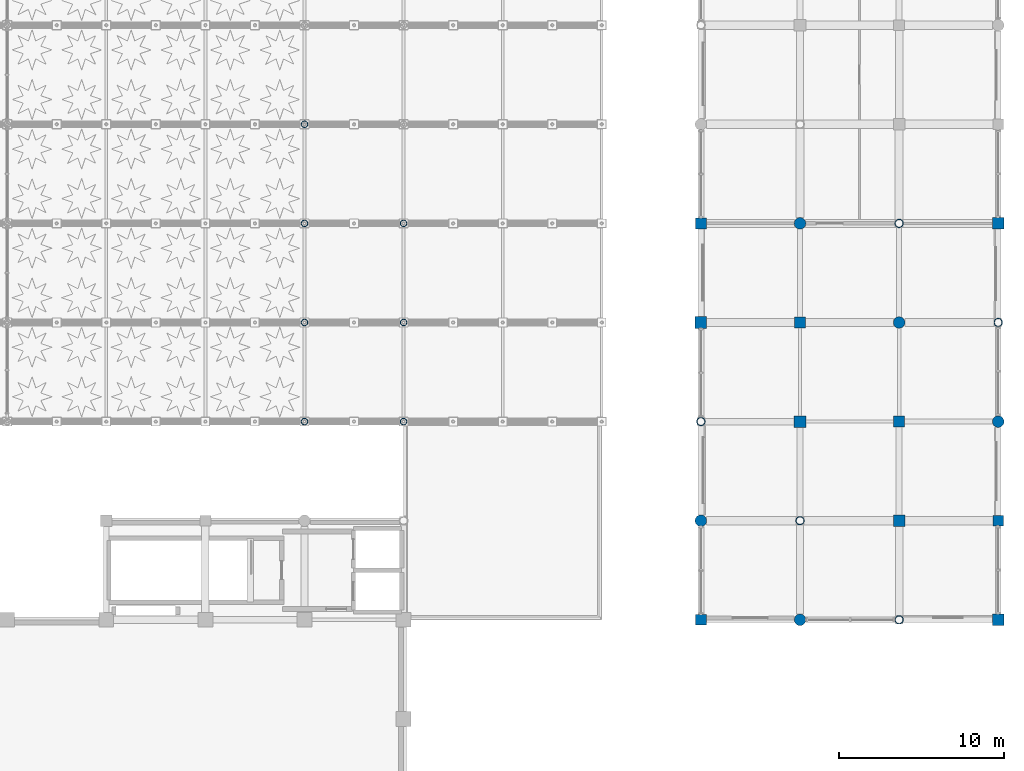
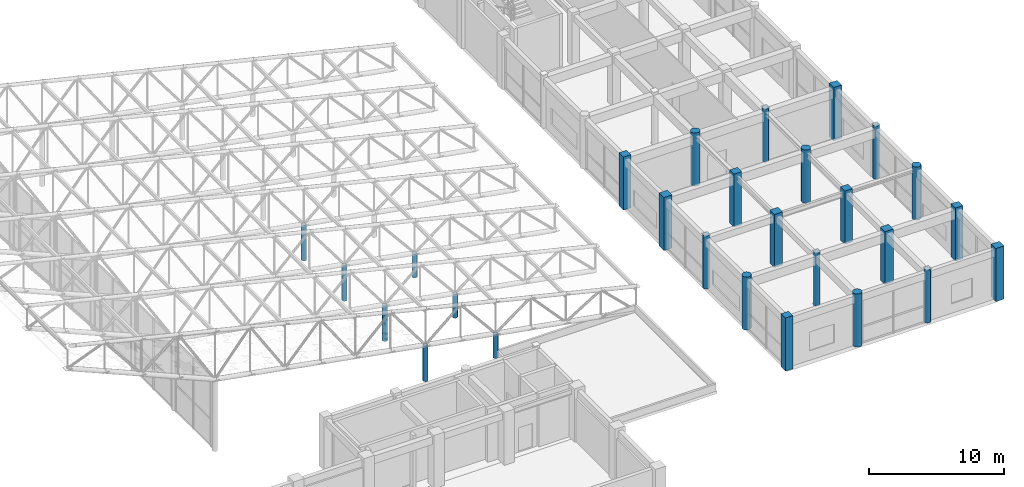
# One storey, part 13 of 112: 27 columns.
"""IFC4 building model written with IfcOpenShell, lengths in metres."""

from ifc_helpers import new_model, si_unit, direction, frame, origin, origin_2d, place, context, subcontext, project, spatial, rectangle, circle, hollow_circle, extrude, material, material_profile, profile_set, type_object, element, save


model = new_model("IFC4")

# Units and contexts
model_context = context("Model", 3, precision=1e-05, world=origin(), true_north=direction((0.0, 1.0)))
body_context = subcontext(model_context, "Body", "Model", "MODEL_VIEW")
ifc_project = project(units=[si_unit("LENGTHUNIT", "METRE"), si_unit("AREAUNIT", "SQUARE_METRE"), si_unit("VOLUMEUNIT", "CUBIC_METRE"), si_unit("PLANEANGLEUNIT", "RADIAN"), si_unit("MASSUNIT", "GRAM", prefix="KILO"), si_unit("THERMODYNAMICTEMPERATUREUNIT", "KELVIN"), si_unit("POWERUNIT", "WATT")], contexts=[model_context])

# Site, building, storey
site_placement = place(None, origin())
site = spatial("IfcSite", under=ifc_project, at=site_placement, CompositionType="ELEMENT")
building_placement = place(site_placement, origin())
building = spatial("IfcBuilding", under=site, at=building_placement, Name="Phaisarnlok Congress Hotel", CompositionType="ELEMENT")
storey_placement = place(building_placement, frame((0.0, 0.0, 19.800048828125)))
storey = spatial("IfcBuildingStorey", under=building, at=storey_placement, Name="L04", CompositionType="ELEMENT", Elevation=19.800048828125)

# Columns
ifc_material_1 = material(Name="Concrete C50/60", Category="concrete")
ifc_material_profile_1 = material_profile(ifc_material_1, rectangle(XDim=0.64990234375, YDim=0.64990234375, at=origin_2d()), Name="RC 650x650")
ifc_profile_set_1 = profile_set([ifc_material_profile_1], Name="Concrete C50/60")
column_type_1 = type_object("IfcColumnType", Name="COL-RC-650", PredefinedType="COLUMN", material=ifc_profile_set_1)
for number, where, z_axis, x_axis, name in (
    (1, (162.0, 36.0, 0.0), (0.0, 0.0, 1.0), (1.0, 0.0, 0.0), "Column C-04 (L04)"),
    (2, (162.0, 60.0, 0.0), (0.0, 0.0, 1.0), (1.0, 0.0, 0.0), "Column C-04 (L04)"),
    (3, (168.0, 54.0, 0.0), (0.0, 0.0, 1.0), (1.0, 0.0, 0.0), "Column C-04 (L04)"),
    (4, (174.0, 48.0, 0.0), (0.0, 0.0, 1.0), (1.0, 0.0, 0.0), "Column C-04 (L04)"),
):
    element("IfcColumn", number, at=place(storey_placement, frame(where, z_axis=z_axis, x_axis=x_axis)), inside=storey, type_object=column_type_1, Name=name, PredefinedType="COLUMN", context=body_context, shape_type="SweptSolid", body=[
        extrude(rectangle(XDim=0.64990234375, YDim=0.64990234375, at=origin_2d()), origin(), (0.0, 0.0, 1.0), 4.800048828125),
    ])
ifc_material_profile_2 = material_profile(ifc_material_1, rectangle(XDim=0.64990234375, YDim=0.64990234375, at=origin_2d()), Name="RC 650x650")
ifc_profile_set_2 = profile_set([ifc_material_profile_2], Name="Concrete C50/60")
column_type_2 = type_object("IfcColumnType", Name="COL-RC-650-EXT", PredefinedType="COLUMN", material=ifc_profile_set_2)
column_1_placement = place(storey_placement, frame((180.0, 42.0, 0.0), z_axis=(0.0, 0.0, 1.0), x_axis=(1.0, 0.0, 0.0)))
element("IfcColumn", 5, at=column_1_placement, inside=storey, type_object=column_type_2, Name="Column C-04E (L04)", PredefinedType="COLUMN", context=body_context, shape_type="SweptSolid", body=[
    extrude(rectangle(XDim=0.64990234375, YDim=0.64990234375, at=origin_2d()), origin(), (0.0, 0.0, 1.0), 4.800048828125),
])
ifc_material_profile_3 = material_profile(ifc_material_1, rectangle(XDim=0.699951171875, YDim=0.699951171875, at=origin_2d()), Name="RC 700x700")
ifc_profile_set_3 = profile_set([ifc_material_profile_3], Name="Concrete C50/60")
column_type_3 = type_object("IfcColumnType", Name="COL-RC-700", PredefinedType="COLUMN", material=ifc_profile_set_3)
for number, where, z_axis, x_axis, name in (
    (6, (162.0, 54.0, 0.0), (0.0, 0.0, 1.0), (1.0, 0.0, 0.0), "Column C-05 (L04)"),
    (7, (168.0, 48.0, 0.0), (0.0, 0.0, 1.0), (1.0, 0.0, 0.0), "Column C-05 (L04)"),
    (8, (174.0, 42.0, 0.0), (0.0, 0.0, 1.0), (1.0, 0.0, 0.0), "Column C-05 (L04)"),
):
    element("IfcColumn", number, at=place(storey_placement, frame(where, z_axis=z_axis, x_axis=x_axis)), inside=storey, type_object=column_type_3, Name=name, PredefinedType="COLUMN", context=body_context, shape_type="SweptSolid", body=[
        extrude(rectangle(XDim=0.699951171875, YDim=0.699951171875, at=origin_2d()), origin(), (0.0, 0.0, 1.0), 4.800048828125),
    ])
ifc_material_profile_4 = material_profile(ifc_material_1, rectangle(XDim=0.699951171875, YDim=0.699951171875, at=origin_2d()), Name="RC 700x700")
ifc_profile_set_4 = profile_set([ifc_material_profile_4], Name="Concrete C50/60")
column_type_4 = type_object("IfcColumnType", Name="COL-RC-700-EXT", PredefinedType="COLUMN", material=ifc_profile_set_4)
for number, where, z_axis, x_axis, name in (
    (9, (180.0, 36.0, 0.0), (0.0, 0.0, 1.0), (1.0, 0.0, 0.0), "Column C-05E (L04)"),
    (10, (180.0, 60.0, 0.0), (0.0, 0.0, 1.0), (1.0, 0.0, 0.0), "Column C-05E (L04)"),
):
    element("IfcColumn", number, at=place(storey_placement, frame(where, z_axis=z_axis, x_axis=x_axis)), inside=storey, type_object=column_type_4, Name=name, PredefinedType="COLUMN", context=body_context, shape_type="SweptSolid", body=[
        extrude(rectangle(XDim=0.699951171875, YDim=0.699951171875, at=origin_2d()), origin(), (0.0, 0.0, 1.0), 4.800048828125),
    ])
ifc_material_profile_5 = material_profile(ifc_material_1, circle(Radius=0.35009765625, at=origin_2d()), Name="RCC D700")
ifc_profile_set_5 = profile_set([ifc_material_profile_5], Name="Concrete C50/60")
column_type_5 = type_object("IfcColumnType", Name="COL-RCC-700", PredefinedType="COLUMN", material=ifc_profile_set_5)
for number, where, z_axis, x_axis, name in (
    (11, (162.0, 42.0, 0.0), (0.0, 0.0, 1.0), (1.0, 0.0, 0.0), "Column C-13 (L04)"),
    (12, (168.0, 36.0, 0.0), (0.0, 0.0, 1.0), (1.0, 0.0, 0.0), "Column C-13 (L04)"),
    (13, (168.0, 60.0, 0.0), (0.0, 0.0, 1.0), (1.0, 0.0, 0.0), "Column C-13 (L04)"),
    (14, (174.0, 54.0, 0.0), (0.0, 0.0, 1.0), (1.0, 0.0, 0.0), "Column C-13 (L04)"),
):
    element("IfcColumn", number, at=place(storey_placement, frame(where, z_axis=z_axis, x_axis=x_axis)), inside=storey, type_object=column_type_5, Name=name, PredefinedType="COLUMN", context=body_context, shape_type="SweptSolid", body=[
        extrude(circle(Radius=0.35009765625, at=origin_2d()), origin(), (0.0, 0.0, 1.0), 4.800048828125),
    ])
ifc_material_profile_6 = material_profile(ifc_material_1, circle(Radius=0.35009765625, at=origin_2d()), Name="RCC D700")
ifc_profile_set_6 = profile_set([ifc_material_profile_6], Name="Concrete C50/60")
column_type_6 = type_object("IfcColumnType", Name="COL-RCC-700-EXT", PredefinedType="COLUMN", material=ifc_profile_set_6)
column_2_placement = place(storey_placement, frame((180.0, 48.0, 0.0), z_axis=(0.0, 0.0, 1.0), x_axis=(1.0, 0.0, 0.0)))
element("IfcColumn", 15, at=column_2_placement, inside=storey, type_object=column_type_6, Name="Column C-13E (L04)", PredefinedType="COLUMN", context=body_context, shape_type="SweptSolid", body=[
    extrude(circle(Radius=0.35009765625, at=origin_2d()), origin(), (0.0, 0.0, 1.0), 4.800048828125),
])
ifc_material_2 = material(Name="Steel S355", Category="steel")
ifc_material_profile_7 = material_profile(ifc_material_2, hollow_circle(Radius=0.203125, WallThickness=0.02001953125, at=origin_2d()), Name="CHS 406.4x20")
ifc_profile_set_7 = profile_set([ifc_material_profile_7], Name="Steel S355")
column_type_7 = type_object("IfcColumnType", Name="COL-STL-CHS406", PredefinedType="COLUMN", material=ifc_profile_set_7)
column_3_placement = place(storey_placement, frame((144.0, 48.0, 0.0), z_axis=(0.0, 0.0, 1.0), x_axis=(1.0, 0.0, 0.0)))
element("IfcColumn", 16, at=column_3_placement, inside=storey, type_object=column_type_7, Name="Cloister wing-truss sloped bearing column extension SC-02 (L04)", PredefinedType="COLUMN", context=body_context, shape_type="SweptSolid", body=[
    extrude(hollow_circle(Radius=0.203125, WallThickness=0.02001953125, at=origin_2d()), origin(), (0.0, 0.0, 1.0), 2.13330078125),
])
column_4_placement = place(storey_placement, frame((138.0, 48.0, 0.0), z_axis=(0.0, 0.0, 1.0), x_axis=(1.0, 0.0, 0.0)))
element("IfcColumn", 17, at=column_4_placement, inside=storey, type_object=column_type_7, Name="Cloister wing-truss sloped bearing column extension SC-02 (L04)", PredefinedType="COLUMN", context=body_context, shape_type="SweptSolid", body=[
    extrude(hollow_circle(Radius=0.203125, WallThickness=0.02001953125, at=origin_2d()), origin(), (0.0, 0.0, 1.0), 3.199951171875),
])
column_5_placement = place(storey_placement, frame((144.0, 54.0, 0.0), z_axis=(0.0, 0.0, 1.0), x_axis=(1.0, 0.0, 0.0)))
element("IfcColumn", 18, at=column_5_placement, inside=storey, type_object=column_type_7, Name="Cloister wing-truss sloped bearing column extension SC-02 (L04)", PredefinedType="COLUMN", context=body_context, shape_type="SweptSolid", body=[
    extrude(hollow_circle(Radius=0.203125, WallThickness=0.02001953125, at=origin_2d()), origin(), (0.0, 0.0, 1.0), 2.13330078125),
])
column_6_placement = place(storey_placement, frame((138.0, 54.0, 0.0), z_axis=(0.0, 0.0, 1.0), x_axis=(1.0, 0.0, 0.0)))
element("IfcColumn", 19, at=column_6_placement, inside=storey, type_object=column_type_7, Name="Cloister wing-truss sloped bearing column extension SC-02 (L04)", PredefinedType="COLUMN", context=body_context, shape_type="SweptSolid", body=[
    extrude(hollow_circle(Radius=0.203125, WallThickness=0.02001953125, at=origin_2d()), origin(), (0.0, 0.0, 1.0), 3.199951171875),
])
column_7_placement = place(storey_placement, frame((144.0, 60.0, 0.0), z_axis=(0.0, 0.0, 1.0), x_axis=(1.0, 0.0, 0.0)))
element("IfcColumn", 20, at=column_7_placement, inside=storey, type_object=column_type_7, Name="Cloister wing-truss sloped bearing column extension SC-02 (L04)", PredefinedType="COLUMN", context=body_context, shape_type="SweptSolid", body=[
    extrude(hollow_circle(Radius=0.203125, WallThickness=0.02001953125, at=origin_2d()), origin(), (0.0, 0.0, 1.0), 2.13330078125),
])
for number, where, z_axis, x_axis, name in (
    (21, (138.0, 60.0, 0.0), (0.0, 0.0, 1.0), (1.0, 0.0, 0.0), "Cloister wing-truss sloped bearing column extension SC-02 (L04)"),
    (22, (138.0, 66.0, 0.0), (0.0, 0.0, 1.0), (1.0, 0.0, 0.0), "Cloister wing-truss sloped bearing column extension SC-02 (L04)"),
):
    element("IfcColumn", number, at=place(storey_placement, frame(where, z_axis=z_axis, x_axis=x_axis)), inside=storey, type_object=column_type_7, Name=name, PredefinedType="COLUMN", context=body_context, shape_type="SweptSolid", body=[
        extrude(hollow_circle(Radius=0.203125, WallThickness=0.02001953125, at=origin_2d()), origin(), (0.0, 0.0, 1.0), 3.199951171875),
    ])
ifc_material_profile_8 = material_profile(ifc_material_2, hollow_circle(Radius=0.25390625, WallThickness=0.02490234375, at=origin_2d()), Name="CHS 508x25")
ifc_profile_set_8 = profile_set([ifc_material_profile_8], Name="Steel S355")
column_type_8 = type_object("IfcColumnType", Name="COL-STL-CHS508", PredefinedType="COLUMN", material=ifc_profile_set_8)
for number, where, z_axis, x_axis, name in (
    (23, (162.0, 48.0, 0.0), (0.0, 0.0, 1.0), (1.0, 0.0, 0.0), "Column SC-03 (L04)"),
    (24, (168.0, 42.0, 0.0), (0.0, 0.0, 1.0), (1.0, 0.0, 0.0), "Column SC-03 (L04)"),
    (25, (174.0, 36.0, 0.0), (0.0, 0.0, 1.0), (1.0, 0.0, 0.0), "Column SC-03 (L04)"),
    (26, (174.0, 60.0, 0.0), (0.0, 0.0, 1.0), (1.0, 0.0, 0.0), "Column SC-03 (L04)"),
):
    element("IfcColumn", number, at=place(storey_placement, frame(where, z_axis=z_axis, x_axis=x_axis)), inside=storey, type_object=column_type_8, Name=name, PredefinedType="COLUMN", context=body_context, shape_type="SweptSolid", body=[
        extrude(hollow_circle(Radius=0.25390625, WallThickness=0.02490234375, at=origin_2d()), origin(), (0.0, 0.0, 1.0), 4.800048828125),
    ])
ifc_material_profile_9 = material_profile(ifc_material_2, hollow_circle(Radius=0.25390625, WallThickness=0.02490234375, at=origin_2d()), Name="CHS 508x25")
ifc_profile_set_9 = profile_set([ifc_material_profile_9], Name="Steel S355")
column_type_9 = type_object("IfcColumnType", Name="COL-STL-CHS508-EXT", PredefinedType="COLUMN", material=ifc_profile_set_9)
column_8_placement = place(storey_placement, frame((180.0, 54.0, 0.0), z_axis=(0.0, 0.0, 1.0), x_axis=(1.0, 0.0, 0.0)))
element("IfcColumn", 27, at=column_8_placement, inside=storey, type_object=column_type_9, Name="Column SC-03E (L04)", PredefinedType="COLUMN", context=body_context, shape_type="SweptSolid", body=[
    extrude(hollow_circle(Radius=0.25390625, WallThickness=0.02490234375, at=origin_2d()), origin(), (0.0, 0.0, 1.0), 4.800048828125),
])

save(model, "model.ifc")
